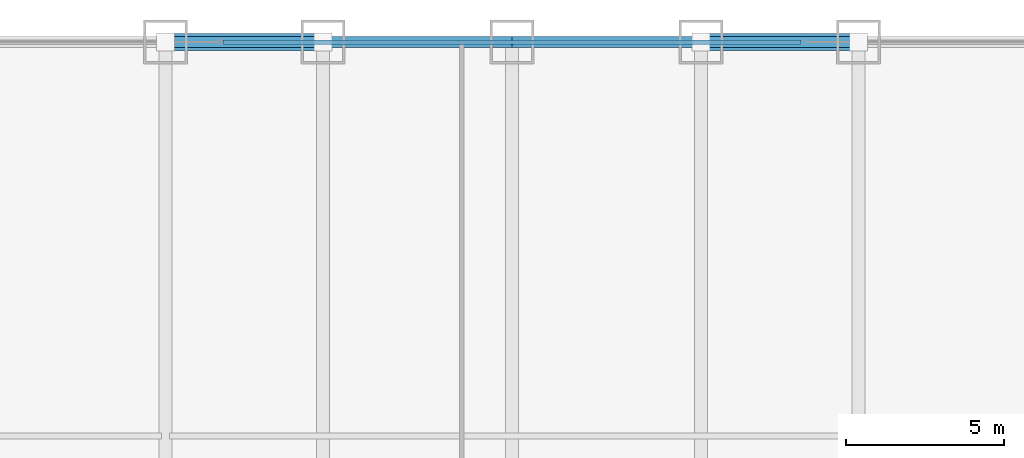
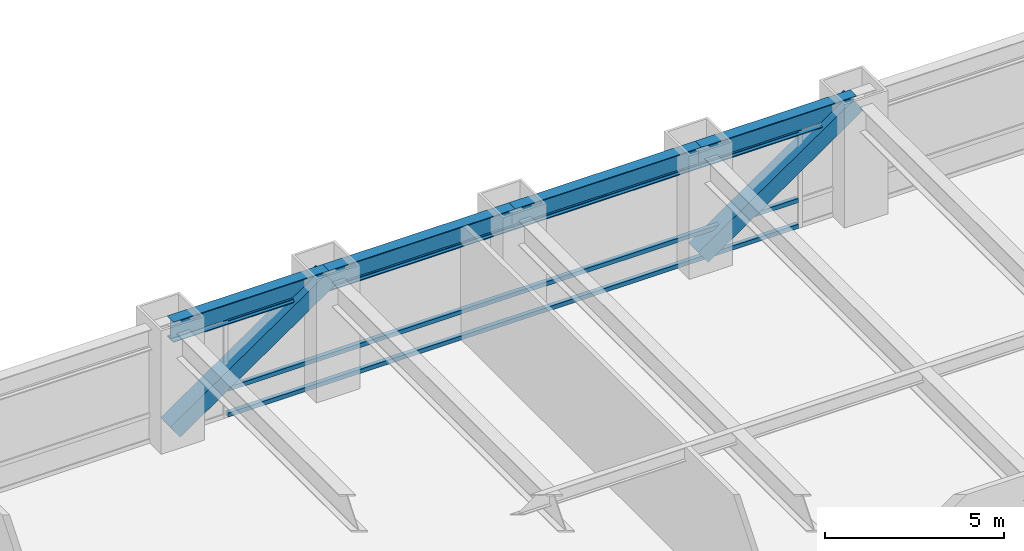
# One storey, part 20 of 28: 5 members, 4 beams, 1 element without a shape of its own.
"""IFC4 building model written with IfcOpenShell, lengths in metres."""

import ifcopenshell
import ifcopenshell.guid

model = None  # the IFC model being written
_history = None  # IfcOwnerHistory: only IFC2X3 demands one
_inside = {}  # id of a spatial element -> (the spatial element, [elements in it])
_under = {}  # id of a project, library or spatial element -> (it, [spatial elements below it])
_declared = {}  # id of a project -> (the project, [libraries it declares])
_typed = {}  # id of a type object -> (the type object, [elements of that type])
_made_of = {}  # id of a material, layer set ... -> (it, [elements and type objects made of it])


def new_model(schema):
    """Start an empty IFC model of exactly this schema.

    Asked for "IFC4X3", IfcOpenShell would pick the latest addendum, in which some entities
    have other attributes; the version numbers below select the first issue.
    IFC2X3 requires an IfcOwnerHistory on every rooted entity: one is made here for all.
    """
    global model, _history
    if schema == "IFC4X3":
        model = ifcopenshell.file(schema_version=(4, 3, 0, 0))
    else:
        model = ifcopenshell.file(schema=schema)
    _inside.clear()
    _under.clear()
    _declared.clear()
    _typed.clear()
    _made_of.clear()
    _history = None
    if model.schema == "IFC2X3":
        org = make("IfcOrganization", Name="unknown")
        user = make(
            "IfcPersonAndOrganization",
            ThePerson=make("IfcPerson", FamilyName="unknown"),
            TheOrganization=org,
        )
        app = make(
            "IfcApplication",
            ApplicationDeveloper=org,
            Version="unknown",
            ApplicationFullName="unknown",
            ApplicationIdentifier="unknown",
        )
        _history = make(
            "IfcOwnerHistory",
            OwningUser=user,
            OwningApplication=app,
            ChangeAction="ADDED",
            CreationDate=0,
        )
    return model


def make(cls, **values):
    """One entity of the class cls with the attributes given. An attribute that is None is left unset."""
    return model.create_entity(
        cls, **{name: value for name, value in values.items() if value is not None}
    )


def rooted(cls, **values):
    """An entity with a GlobalId (a new one), such as an element, a storey or a relation."""
    return make(cls, GlobalId=ifcopenshell.guid.new(), OwnerHistory=_history, **values)


def si_unit(unit_type, name, prefix=None):
    """IfcSIUnit, for example si_unit("LENGTHUNIT", "METRE", prefix="MILLI")."""
    return make("IfcSIUnit", UnitType=unit_type, Prefix=prefix, Name=name)


def assignment(units):
    """IfcUnitAssignment: the units of a project."""
    return None if units is None else make("IfcUnitAssignment", Units=units)


def point(xyz):
    """IfcCartesianPoint."""
    return None if xyz is None else make("IfcCartesianPoint", Coordinates=xyz)


def direction(xyz):
    """IfcDirection."""
    return None if xyz is None else make("IfcDirection", DirectionRatios=xyz)


def frame(location, z_axis=None, x_axis=None):
    """IfcAxis2Placement3D, a coordinate frame: its origin and axes. An axis left out is left unset."""
    return make(
        "IfcAxis2Placement3D",
        Location=point(location),
        Axis=direction(z_axis),
        RefDirection=direction(x_axis),
    )


def frame_2d(location, x_axis=None):
    """IfcAxis2Placement2D, a coordinate frame in the plane: its origin and x axis."""
    return make(
        "IfcAxis2Placement2D", Location=point(location), RefDirection=direction(x_axis)
    )


def origin():
    """The frame at (0, 0, 0) with its axes left unset."""
    return frame((0.0, 0.0, 0.0))


def origin_2d():
    """The frame at (0, 0) in the plane with its x axis left unset."""
    return frame_2d((0.0, 0.0))


def place(relative_to, where):
    """IfcLocalPlacement: puts the frame where relative to a parent placement (None: the world)."""
    return make(
        "IfcLocalPlacement", PlacementRelTo=relative_to, RelativePlacement=where
    )


def context(
    kind, dimensions, precision=None, world=None, true_north=None, identifier=None
):
    """IfcGeometricRepresentationContext, for example the 3D "Model" context."""
    return make(
        "IfcGeometricRepresentationContext",
        ContextIdentifier=identifier,
        ContextType=kind,
        CoordinateSpaceDimension=dimensions,
        Precision=precision,
        WorldCoordinateSystem=world,
        TrueNorth=true_north,
    )


def subcontext(parent, identifier, kind, view, scale=None):
    """IfcGeometricRepresentationSubContext, for example "Body" below "Model"."""
    return make(
        "IfcGeometricRepresentationSubContext",
        ContextIdentifier=identifier,
        ContextType=kind,
        ParentContext=parent,
        TargetScale=scale,
        TargetView=view,
    )


def project(units=None, contexts=None):
    """IfcProject with its units and contexts."""
    return rooted(
        "IfcProject",
        Name="project",
        RepresentationContexts=contexts,
        UnitsInContext=assignment(units),
    )


def spatial(cls, under=None, at=None, **own):
    """A site, building, storey or space (cls), placed at a placement, below another one or the project."""
    s = rooted(cls, ObjectPlacement=at, **own)
    if under is not None:
        _under.setdefault(under.id(), (under, []))[1].append(s)
    return s


def profile(cls, at=None, kind="AREA", **sizes):
    """A parametric profile (cls). Its sizes go by their IFC names, for example OverallWidth=200.0."""
    return make(cls, ProfileType=kind, Position=at, **sizes)


def hollow_rectangle(**sizes):
    """IfcRectangleHollowProfileDef."""
    return profile("IfcRectangleHollowProfileDef", **sizes)


def i_section(**sizes):
    """IfcIShapeProfileDef."""
    return profile("IfcIShapeProfileDef", **sizes)


def extrude(swept, where, along, depth):
    """IfcExtrudedAreaSolid: the profile swept, set in the frame where, extruded along a direction by depth."""
    return make(
        "IfcExtrudedAreaSolid",
        SweptArea=swept,
        Position=where,
        ExtrudedDirection=direction(along),
        Depth=depth,
    )


def shape(context_of_items, identifier, shape_type, items):
    """IfcShapeRepresentation: the items that make up one representation, for example the "Body"."""
    return make(
        "IfcShapeRepresentation",
        ContextOfItems=context_of_items,
        RepresentationIdentifier=identifier,
        RepresentationType=shape_type,
        Items=items,
    )


def source(mapping_origin, context_of_items, identifier, shape_type, items):
    """IfcRepresentationMap: a shape defined once, which mapped items show again and again."""
    return make(
        "IfcRepresentationMap",
        MappingOrigin=mapping_origin,
        MappedRepresentation=shape(context_of_items, identifier, shape_type, items),
    )


def transform(
    local_origin,
    x_axis=None,
    y_axis=None,
    z_axis=None,
    scale=None,
    scale2=None,
    scale3=None,
    uniform=True,
):
    """IfcCartesianTransformationOperator3D, or its non-uniform kind. x_axis, y_axis, z_axis: its Axis1, 2, 3."""
    if uniform:
        return make(
            "IfcCartesianTransformationOperator3D",
            Axis1=direction(x_axis),
            Axis2=direction(y_axis),
            LocalOrigin=point(local_origin),
            Scale=scale,
            Axis3=direction(z_axis),
        )
    return make(
        "IfcCartesianTransformationOperator3DnonUniform",
        Axis1=direction(x_axis),
        Axis2=direction(y_axis),
        LocalOrigin=point(local_origin),
        Scale=scale,
        Axis3=direction(z_axis),
        Scale2=scale2,
        Scale3=scale3,
    )


def mapped(mapping_source, mapping_target):
    """IfcMappedItem: shows the shape of a source again, moved by a transform."""
    return make(
        "IfcMappedItem", MappingSource=mapping_source, MappingTarget=mapping_target
    )


def material(Name=None, Category=None):
    """IfcMaterial."""
    return make("IfcMaterial", Name=Name, Category=Category)


def material_profile(
    of_material, cross_section, Name=None, Category=None, Priority=None
):
    """IfcMaterialProfile: a cross section and its material."""
    return make(
        "IfcMaterialProfile",
        Name=Name,
        Material=of_material,
        Profile=cross_section,
        Priority=Priority,
        Category=Category,
    )


def profile_set(profiles, Name=None, composite=None):
    """IfcMaterialProfileSet."""
    return make(
        "IfcMaterialProfileSet",
        Name=Name,
        MaterialProfiles=profiles,
        CompositeProfile=composite,
    )


def made_of(thing, what):
    """Note that an element or type object is made of a material, layer set ...; save() writes the relation."""
    if what is not None:
        _made_of.setdefault(what.id(), (what, []))[1].append(thing)
    return thing


def type_object(cls, material=None, **own):
    """A type object (cls), such as IfcWallType, which elements share."""
    return made_of(rooted(cls, **own), material)


def element(
    cls,
    number,
    at=None,
    inside=None,
    cuts=None,
    type_object=None,
    material=None,
    context=None,
    identifier="Body",
    shape_type=None,
    held_by="IfcProductDefinitionShape",
    body=None,
    shapes=None,
    **own,
):
    """One element of the class cls, such as IfcWall. Its Tag is "e" and its number.

    at: its placement. inside: the storey or other place that contains it. cuts: it is an
    opening in that element (IfcRelVoidsElement). A single representation is given by context,
    identifier, shape_type and body (its items); several are given by shapes. held_by: the class
    of the entity that holds the representations. save() writes the other relations.
    """
    e = rooted(cls, Tag="e%d" % number, ObjectPlacement=at, **own)
    if body is not None:
        shapes = [shape(context, identifier, shape_type, body)]
    if shapes is not None:
        e.Representation = make(held_by, Representations=shapes)
    if inside is not None:
        _inside.setdefault(inside.id(), (inside, []))[1].append(e)
    if cuts is not None:
        rooted(
            "IfcRelVoidsElement", RelatingBuildingElement=cuts, RelatedOpeningElement=e
        )
    if type_object is not None:
        _typed.setdefault(type_object.id(), (type_object, []))[1].append(e)
    return made_of(e, material)


def aggregate(whole, parts):
    """IfcRelAggregates: a whole, such as a stair, and the parts it consists of."""
    return rooted("IfcRelAggregates", RelatingObject=whole, RelatedObjects=parts)


def save(model, path):
    """Write the relations noted so far, then the file.

    IfcRelAggregates (storeys below a building ...), IfcRelContainedInSpatialStructure (elements
    in a storey), IfcRelDefinesByType, IfcRelAssociatesMaterial and IfcRelDeclares: one each for
    every whole, place, type object, material and project.
    """
    for whole, parts in _under.values():
        aggregate(whole, parts)
    for where, things in _inside.values():
        rooted(
            "IfcRelContainedInSpatialStructure",
            RelatedElements=things,
            RelatingStructure=where,
        )
    for kind, things in _typed.values():
        rooted("IfcRelDefinesByType", RelatedObjects=things, RelatingType=kind)
    for what, things in _made_of.values():
        rooted("IfcRelAssociatesMaterial", RelatedObjects=things, RelatingMaterial=what)
    for by, libraries in _declared.values():
        rooted("IfcRelDeclares", RelatingContext=by, RelatedDefinitions=libraries)
    model.write(path)


model = new_model("IFC4")

# Units and contexts
model_context = context("Model", 3, precision=1e-05, world=origin(), true_north=direction((0.0, 1.0)))
body_context = subcontext(model_context, "Body", "Model", "MODEL_VIEW")
ifc_project = project(units=[si_unit("LENGTHUNIT", "METRE"), si_unit("AREAUNIT", "SQUARE_METRE"), si_unit("VOLUMEUNIT", "CUBIC_METRE"), si_unit("PLANEANGLEUNIT", "RADIAN"), si_unit("MASSUNIT", "GRAM", prefix="KILO")], contexts=[model_context])

# Site, building, storey
site_placement = place(None, origin())
site = spatial("IfcSite", under=ifc_project, at=site_placement, CompositionType="ELEMENT")
building_placement = place(site_placement, origin())
building = spatial("IfcBuilding", under=site, at=building_placement, Name="Khorayat Bourse Tower", CompositionType="ELEMENT")
storey_placement = place(building_placement, frame((0.0, 0.0, 66.199951171875)))
storey = spatial("IfcBuildingStorey", under=building, at=storey_placement, Name="L14", CompositionType="ELEMENT", Elevation=66.199951171875)

# Beams
ifc_material_1 = material(Name="Steel ASTM A992 Grade 50", Category="steel")
ifc_material_profile_1 = material_profile(ifc_material_1, i_section(OverallWidth=0.35498046875, OverallDepth=0.695068359375, WebThickness=0.015380859375, FlangeThickness=0.02490234375, FilletRadius=0.01806640625, at=origin_2d()), Name="W690X217")
ifc_profile_set_1 = profile_set([ifc_material_profile_1], Name="Steel ASTM A992 Grade 50")
beam_type = type_object("IfcBeamType", Name="BM-SPAN-690", PredefinedType="SPANDREL", material=ifc_profile_set_1)
shared_shape_1 = source(origin(), body_context, "Body", "SweptSolid", [
    extrude(i_section(OverallWidth=0.35498046875, OverallDepth=0.695068359375, WebThickness=0.015380859375, FlangeThickness=0.02490234375, FilletRadius=0.01806640625, at=origin_2d()), origin(), (0.0, 0.0, 1.0), 5.0),
])
for number, where, z_axis, x_axis, name in (
    (1, (6.0, 32.0, 3.592529296875), (1.0, 0.0, 0.0), (0.0, 1.0, 0.0), "L14 BM-SPAN-690 BM-L14-SPN-046"),
    (2, (-11.0, 32.0, 3.592529296875), (1.0, 0.0, 0.0), (0.0, 1.0, 0.0), "L14 BM-SPAN-690 BM-L14-SPN-049"),
):
    element("IfcBeam", number, at=place(storey_placement, frame(where, z_axis=z_axis, x_axis=x_axis)), inside=storey, type_object=beam_type, Name=name, PredefinedType="SPANDREL", context=body_context, shape_type="MappedRepresentation", body=[
        mapped(shared_shape_1, transform((0.0, 0.0, 0.0), scale=1.0)),
    ])
shared_shape_2 = source(origin(), body_context, "Body", "SweptSolid", [
    extrude(i_section(OverallWidth=0.35498046875, OverallDepth=0.695068359375, WebThickness=0.015380859375, FlangeThickness=0.02490234375, FilletRadius=0.01806640625, at=origin_2d()), origin(), (0.0, 0.0, 1.0), 6.0),
])
for number, where, z_axis, x_axis, name in (
    (3, (0.0, 32.0, 3.592529296875), (1.0, 0.0, 0.0), (0.0, 1.0, 0.0), "L14 BM-SPAN-690 BM-L14-SPN-047"),
    (4, (-6.0, 32.0, 3.592529296875), (1.0, 0.0, 0.0), (0.0, 1.0, 0.0), "L14 BM-SPAN-690 BM-L14-SPN-048"),
):
    element("IfcBeam", number, at=place(storey_placement, frame(where, z_axis=z_axis, x_axis=x_axis)), inside=storey, type_object=beam_type, Name=name, PredefinedType="SPANDREL", context=body_context, shape_type="MappedRepresentation", body=[
        mapped(shared_shape_2, transform((0.0, 0.0, 0.0), scale=1.0)),
    ])

# Members
ifc_material_2 = material(Name="Steel EN 10025-4 S460M", Category="steel")
ifc_material_profile_2 = material_profile(ifc_material_2, hollow_rectangle(XDim=0.550048828125, YDim=0.550048828125, WallThickness=0.031982421875, at=origin_2d()), Name="HSS 550x550x32")
ifc_profile_set_2 = profile_set([ifc_material_profile_2], Name="Steel EN 10025-4 S460M")
member_type_1 = type_object("IfcMemberType", Name="MBR-TUBE-550", PredefinedType="BRACE", material=ifc_profile_set_2)
shared_shape_3 = source(origin(), body_context, "Body", "SweptSolid", [
    extrude(hollow_rectangle(XDim=0.550048828125, YDim=0.550048828125, WallThickness=0.031982421875, at=origin_2d()), origin(), (0.0, 0.0, 1.0), 6.069091796875),
])
for number, where, z_axis, x_axis, name in (
    (5, (-11.0, 32.0, 0.25), (0.823854080622, 0.0, 0.566801952928), (0.0, 1.0, 0.0), "L14 Perimeter Tube Brace 03"),
    (6, (6.0, 32.0, 0.25), (0.823854080622, 0.0, 0.566801952928), (0.0, 1.0, 0.0), "L14 Perimeter Tube Brace 04"),
):
    element("IfcMember", number, at=place(storey_placement, frame(where, z_axis=z_axis, x_axis=x_axis)), inside=storey, type_object=member_type_1, Name=name, PredefinedType="BRACE", context=body_context, shape_type="MappedRepresentation", body=[
        mapped(shared_shape_3, transform((0.0, 0.0, 0.0), scale=1.0)),
    ])

# Curtain wall, members
ifc_material_3 = material(Name="Aluminium EN AW-6063 T6", Category="aluminium")
curtain_wall_type = type_object("IfcCurtainWallType", Name="CW-SYS-02", PredefinedType="NOTDEFINED", material=ifc_material_3)
curtain_wall_placement = place(storey_placement, origin())
curtain_wall = element("IfcCurtainWall", 7, at=curtain_wall_placement, inside=storey, type_object=curtain_wall_type, Name="L14 Curtain Wall CW-L14-N1", PredefinedType="NOTDEFINED")
ifc_material_profile_3 = material_profile(ifc_material_3, hollow_rectangle(XDim=0.139892578125, YDim=0.139892578125, WallThickness=0.006103515625, at=origin_2d()), Name="ALU 140x140x6")
ifc_profile_set_3 = profile_set([ifc_material_profile_3], Name="Aluminium EN AW-6063 T6")
member_type_2 = type_object("IfcMemberType", Name="CWT-HORZ-140", PredefinedType="USERDEFINED", material=ifc_profile_set_3)
shared_shape_4 = source(origin(), body_context, "Body", "SweptSolid", [
    extrude(hollow_rectangle(XDim=0.139892578125, YDim=0.139892578125, WallThickness=0.006103515625, at=origin_2d()), origin(), (0.0, 0.0, 1.0), 18.35986328125),
])
member_1_placement = place(storey_placement, frame((-9.179931640625, 32.0, 0.070068359375), z_axis=(1.0, 0.0, 0.0), x_axis=(0.0, 1.0, 0.0)))
member_1 = element("IfcMember", 8, at=member_1_placement, type_object=member_type_2, Name="CW-L14-N1 Horizontal Transom 2-1", ObjectType="TRANSOM", PredefinedType="USERDEFINED", context=body_context, shape_type="MappedRepresentation", body=[
    mapped(shared_shape_4, transform((0.0, 0.0, 0.0), scale=1.0)),
])
member_2_placement = place(storey_placement, frame((-9.179931640625, 32.0, 0.949951171875), z_axis=(1.0, 0.0, 0.0), x_axis=(0.0, 1.0, 0.0)))
member_2 = element("IfcMember", 9, at=member_2_placement, type_object=member_type_2, Name="CW-L14-N1 Horizontal Transom 2-2", ObjectType="TRANSOM", PredefinedType="USERDEFINED", context=body_context, shape_type="MappedRepresentation", body=[
    mapped(shared_shape_4, transform((0.0, 0.0, 0.0), scale=1.0)),
])
member_3_placement = place(storey_placement, frame((-9.179931640625, 32.0, 3.219970703125), z_axis=(1.0, 0.0, 0.0), x_axis=(0.0, 1.0, 0.0)))
member_3 = element("IfcMember", 10, at=member_3_placement, type_object=member_type_2, Name="CW-L14-N1 Horizontal Transom 2-3", ObjectType="TRANSOM", PredefinedType="USERDEFINED", context=body_context, shape_type="MappedRepresentation", body=[
    mapped(shared_shape_4, transform((0.0, 0.0, 0.0), scale=1.0)),
])
aggregate(curtain_wall, [member_1, member_2, member_3])

save(model, "model.ifc")
